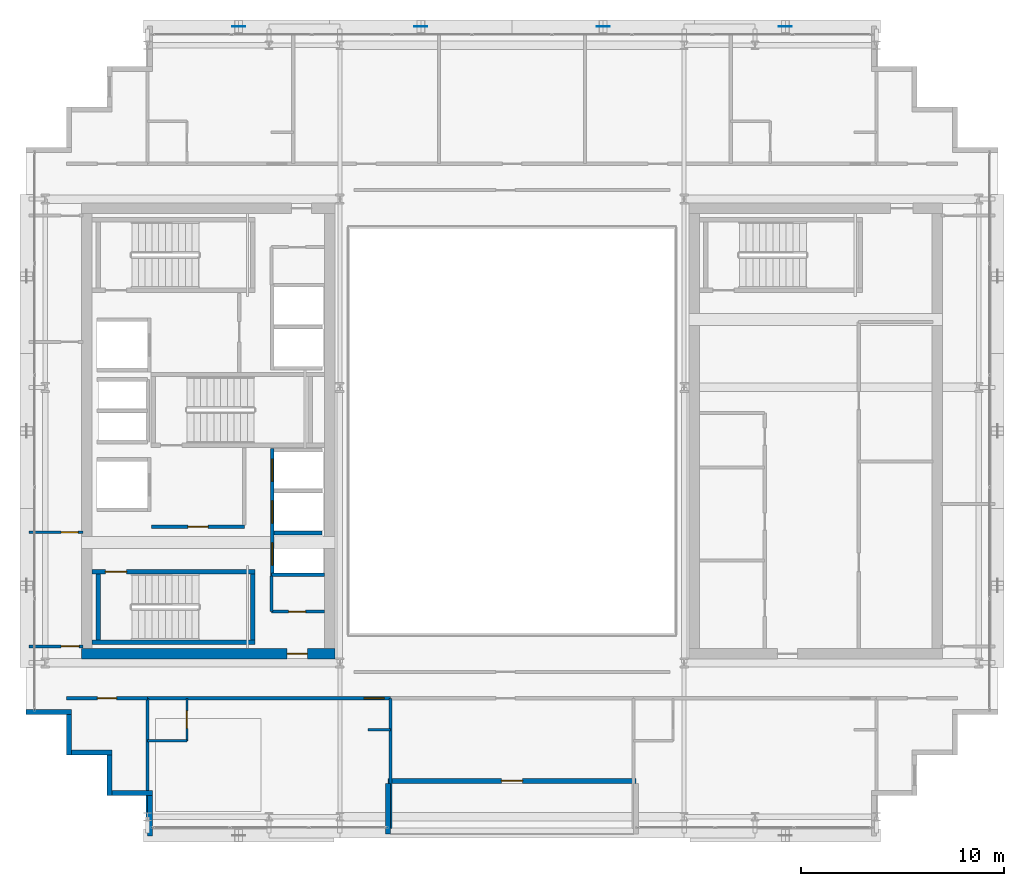
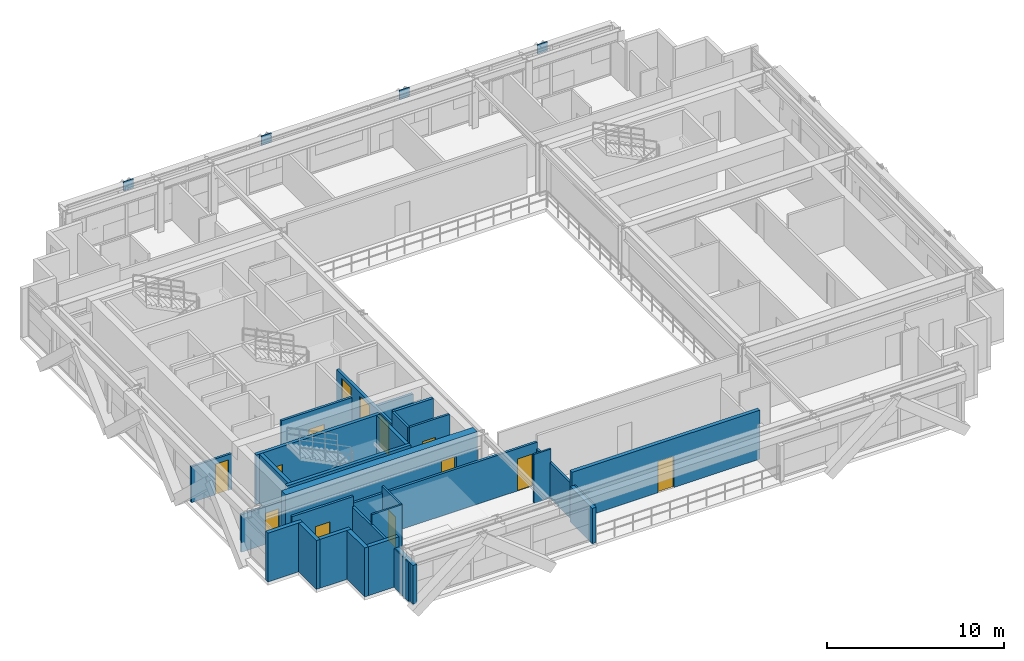
# One storey, part 23 of 30: 28 walls, 13 doors, 4 plates, 13 openings.
"""IFC4 building model written with IfcOpenShell, lengths in metres."""

from ifc_helpers import new_model, si_unit, direction, frame, frame_2d, origin, origin_2d, place, context, subcontext, project, spatial, rectangle, extrude, source, transform, mapped, material, layer, layer_set, type_object, element, fill, save


model = new_model("IFC4")

# Units and contexts
model_context = context("Model", 3, precision=1e-05, world=origin(), true_north=direction((0.0, 1.0)))
body_context = subcontext(model_context, "Body", "Model", "MODEL_VIEW")
ifc_project = project(units=[si_unit("LENGTHUNIT", "METRE"), si_unit("AREAUNIT", "SQUARE_METRE"), si_unit("VOLUMEUNIT", "CUBIC_METRE"), si_unit("PLANEANGLEUNIT", "RADIAN"), si_unit("MASSUNIT", "GRAM", prefix="KILO")], contexts=[model_context])

# Site, building, storey
site_placement = place(None, origin())
site = spatial("IfcSite", under=ifc_project, at=site_placement, CompositionType="ELEMENT")
building_placement = place(site_placement, origin())
building = spatial("IfcBuilding", under=site, at=building_placement, Name="Ocotamira Hotel", CompositionType="ELEMENT")
storey_placement = place(building_placement, frame((0.0, 0.0, 195.60009765625)))
storey = spatial("IfcBuildingStorey", under=building, at=storey_placement, Name="L49", CompositionType="ELEMENT", Elevation=195.60009765625)

# Plates
ifc_material_1 = material(Name="Pale-metal coated steel ASTM A572 Grade 50", Category="steel")
ifc_layer_1 = layer(ifc_material_1, 0.0400390625)
ifc_layer_set_1 = layer_set([ifc_layer_1], Name="Pale-metal coated steel ASTM A572 Grade 50")
plate_type = type_object("IfcPlateType", Name="PLT-GUSSET-40", PredefinedType="SHEET", material=ifc_layer_set_1)
shared_shape_1 = source(origin(), body_context, "Body", "SweptSolid", [
    extrude(rectangle(XDim=0.64990234375, YDim=0.0400390625, at=origin_2d()), origin(), (0.0, 0.0, 1.0), 0.64990234375),
])
for number, where, z_axis, x_axis, name in (
    (1, (18.5, 45.969970703125, 2.794921875), (0.0, 0.0, 1.0), (1.0, 0.0, 0.0), "L49 Exoskeleton Diagrid N0.1 End Gusset B"),
    (2, (27.5, 45.969970703125, 2.794921875), (0.0, 0.0, 1.0), (1.0, 0.0, 0.0), "L49 Exoskeleton Diagrid N1.1 End Gusset B"),
    (3, (36.5, 45.969970703125, 2.794921875), (0.0, 0.0, 1.0), (1.0, 0.0, 0.0), "L49 Exoskeleton Diagrid N2.1 End Gusset B"),
    (4, (45.5, 45.969970703125, 2.794921875), (0.0, 0.0, 1.0), (1.0, 0.0, 0.0), "L49 Exoskeleton Diagrid N3.1 End Gusset B"),
):
    element("IfcPlate", number, at=place(storey_placement, frame(where, z_axis=z_axis, x_axis=x_axis)), inside=storey, type_object=plate_type, Name=name, PredefinedType="SHEET", context=body_context, shape_type="MappedRepresentation", body=[
        mapped(shared_shape_1, transform((0.0, 0.0, 0.0), scale=1.0)),
    ])

# Wall, opening, door
ifc_material_2 = material(Name="Concrete C50/60", Category="concrete")
ifc_layer_2 = layer(ifc_material_2, 0.5)
ifc_layer_set_2 = layer_set([ifc_layer_2], Name="Concrete C50/60")
wall_type_1 = type_object("IfcWallType", Name="WL-CORE-500", PredefinedType="SHEAR", material=ifc_layer_set_2)
wall_1_placement = place(storey_placement, frame((10.75, 15.0, 0.0), z_axis=(0.0, 0.0, 1.0), x_axis=(1.0, 0.0, 0.0)))
wall_1 = element("IfcWall", 5, at=wall_1_placement, inside=storey, type_object=wall_type_1, Name="L49 Shear Core Wall WCORE-S", PredefinedType="SHEAR", context=body_context, shape_type="SweptSolid", body=[
    extrude(rectangle(XDim=12.5, YDim=0.5, at=frame_2d((6.25, 0.0))), origin(), (0.0, 0.0, 1.0), 3.369873046875),
])
opening_1_placement = place(wall_1_placement, frame((10.14990234375, 0.0, 0.0)))
opening_1 = element("IfcOpeningElement", 6, at=opening_1_placement, cuts=wall_1, Name="Opening D-FR2", PredefinedType="OPENING", context=body_context, shape_type="SweptSolid", body=[
    extrude(rectangle(XDim=1.0, YDim=2.14990234375, at=frame_2d((0.5, 1.074951171875))), frame((0.0, 0.260009765625, 0.0), z_axis=(0.0, -1.0, 0.0), x_axis=(1.0, 0.0, 0.0)), (0.0, 0.0, 1.0), 0.52001953125),
])
ifc_material_3 = material(Name="Fire-rated acoustic timber-veneer door", Category="wood")
door_type_1 = type_object("IfcDoorType", Name="DR-FIRE-1000", OperationType="NOTDEFINED", PredefinedType="DOOR", material=ifc_material_3)
shared_shape_2 = source(origin(), body_context, "Body", "SweptSolid", [
    extrude(rectangle(XDim=1.0, YDim=2.14990234375, at=frame_2d((0.5, 1.074951171875))), frame((0.0, 0.02490234375, 0.0), z_axis=(0.0, -1.0, 0.0), x_axis=(1.0, 0.0, 0.0)), (0.0, 0.0, 1.0), 0.050048828125),
])
door_1_placement = place(opening_1_placement, origin())
door_1 = element("IfcDoor", 7, at=door_1_placement, inside=storey, type_object=door_type_1, Name="L49 Door ID-L49-WLOB-S-D [ID-L49-WLOB-S-D]", OperationType="SINGLE_SWING_LEFT", OverallHeight=2.14990234375, OverallWidth=1.0, PredefinedType="DOOR", context=body_context, shape_type="MappedRepresentation", body=[
    mapped(shared_shape_2, transform((0.0, 0.0, 0.0), scale=1.0)),
])
fill(opening_1, door_1)

# Walls
ifc_material_4 = material(Name="Precast concrete C45/55", Category="concrete")
ifc_layer_3 = layer(ifc_material_4, 0.25)
ifc_layer_set_3 = layer_set([ifc_layer_3], Name="Precast concrete C45/55")
wall_type_2 = type_object("IfcWallType", Name="WL-EXT-SER-250", PredefinedType="SOLIDWALL", material=ifc_layer_set_3)
wall_2_placement = place(storey_placement, frame((8.0, 12.125, 0.0), z_axis=(0.0, 0.0, 1.0), x_axis=(1.0, 0.0, 0.0)))
element("IfcWall", 8, at=wall_2_placement, inside=storey, type_object=wall_type_2, Name="L49 Serrated Corner Wall 19", PredefinedType="SOLIDWALL", context=body_context, shape_type="SweptSolid", body=[
    extrude(rectangle(XDim=2.25, YDim=0.25, at=frame_2d((1.125, 0.0))), origin(), (0.0, 0.0, 1.0), 3.369873046875),
])
for number, where, z_axis, x_axis, name in (
    (9, (10.125, 12.0, 0.0), (0.0, 0.0, 1.0), (0.0, -1.0, 0.0), "L49 Serrated Corner Wall 20"),
    (10, (10.25, 10.125, 0.0), (0.0, 0.0, 1.0), (1.0, 0.0, 0.0), "L49 Serrated Corner Wall 21"),
    (11, (12.125, 10.0, 0.0), (0.0, 0.0, 1.0), (0.0, -1.0, 0.0), "L49 Serrated Corner Wall 22"),
    (12, (12.25, 8.125, 0.0), (0.0, 0.0, 1.0), (1.0, 0.0, 0.0), "L49 Serrated Corner Wall 23"),
):
    element("IfcWall", number, at=place(storey_placement, frame(where, z_axis=z_axis, x_axis=x_axis)), inside=storey, type_object=wall_type_2, Name=name, PredefinedType="SOLIDWALL", context=body_context, shape_type="SweptSolid", body=[
        extrude(rectangle(XDim=2.0, YDim=0.25, at=frame_2d((1.0, 0.0))), origin(), (0.0, 0.0, 1.0), 3.369873046875),
    ])
wall_3_placement = place(storey_placement, frame((14.125, 8.0, 0.0), z_axis=(0.0, 0.0, 1.0), x_axis=(0.0, -1.0, 0.0)))
element("IfcWall", 13, at=wall_3_placement, inside=storey, type_object=wall_type_2, Name="L49 Serrated Corner Wall 24", PredefinedType="SOLIDWALL", context=body_context, shape_type="SweptSolid", body=[
    extrude(rectangle(XDim=2.0, YDim=0.25, at=frame_2d((1.0, 0.0))), origin(), (0.0, 0.0, 1.0), 2.677001953125),
])

# Wall, opening, door
wall_4_placement = place(storey_placement, frame((25.875, 8.72509765625, 0.0), z_axis=(0.0, 0.0, 1.0), x_axis=(1.0, 0.0, 0.0)))
wall_4 = element("IfcWall", 14, at=wall_4_placement, inside=storey, type_object=wall_type_2, Name="L49 Sky Terrace Back Wall 1", PredefinedType="SOLIDWALL", context=body_context, shape_type="SweptSolid", body=[
    extrude(rectangle(XDim=12.25, YDim=0.25, at=frame_2d((6.125, 0.0))), origin(), (0.0, 0.0, 1.0), 3.369873046875),
])
opening_2_placement = place(wall_4_placement, frame((5.60009765625, 0.0, 0.0)))
opening_2 = element("IfcOpeningElement", 15, at=opening_2_placement, cuts=wall_4, Name="Opening ED-3", PredefinedType="OPENING", context=body_context, shape_type="SweptSolid", body=[
    extrude(rectangle(XDim=1.050048828125, YDim=2.14990234375, at=frame_2d((0.52490234375, 1.074951171875))), frame((0.0, 0.135009765625, 0.0), z_axis=(0.0, -1.0, 0.0), x_axis=(1.0, 0.0, 0.0)), (0.0, 0.0, 1.0), 0.27001953125),
])
ifc_material_5 = material(Name="Thermally broken aluminium glazed door", Category="aluminium")
door_type_2 = type_object("IfcDoorType", Name="DR-TERR-1050", OperationType="NOTDEFINED", PredefinedType="DOOR", material=ifc_material_5)
shared_shape_3 = source(origin(), body_context, "Body", "SweptSolid", [
    extrude(rectangle(XDim=1.050048828125, YDim=2.14990234375, at=frame_2d((0.52490234375, 1.074951171875))), frame((0.0, 0.02490234375, 0.0), z_axis=(0.0, -1.0, 0.0), x_axis=(1.0, 0.0, 0.0)), (0.0, 0.0, 1.0), 0.050048828125),
])
door_2_placement = place(opening_2_placement, origin())
door_2 = element("IfcDoor", 16, at=door_2_placement, inside=storey, type_object=door_type_2, Name="L49 Sky Terrace Access Door 1 [ED-BAL-L49-1]", OperationType="SINGLE_SWING_LEFT", OverallHeight=2.14990234375, OverallWidth=1.050048828125, PredefinedType="DOOR", context=body_context, shape_type="MappedRepresentation", body=[
    mapped(shared_shape_3, transform((0.0, 0.0, 0.0), scale=1.0)),
])
fill(opening_2, door_2)

# Wall
wall_5_placement = place(storey_placement, frame((25.875, 6.10009765625, 0.0), z_axis=(0.0, 0.0, 1.0), x_axis=(0.0, 1.0, 0.0)))
element("IfcWall", 17, at=wall_5_placement, inside=storey, type_object=wall_type_2, Name="L49 Sky Terrace Return Wall 1L", PredefinedType="SOLIDWALL", context=body_context, shape_type="SweptSolid", body=[
    extrude(rectangle(XDim=2.5, YDim=0.25, at=frame_2d((1.25, 0.0))), origin(), (0.0, 0.0, 1.0), 2.44287109375),
])

# Wall, opening, door
ifc_material_6 = material(Name="Acoustic double-layer fire gypsum board partition", Category="gypsum")
ifc_layer_4 = layer(ifc_material_6, 0.159912109375)
ifc_layer_set_4 = layer_set([ifc_layer_4], Name="Acoustic double-layer fire gypsum board partition")
wall_type_3 = type_object("IfcWallType", Name="WL-FIRE-160", PredefinedType="PARTITIONING", material=ifc_layer_set_4)
wall_6_placement = place(storey_placement, frame((14.199951171875, 21.27001953125, 0.0), z_axis=(0.0, 0.0, 1.0), x_axis=(1.0, 0.0, 0.0)))
wall_6 = element("IfcWall", 18, at=wall_6_placement, inside=storey, type_object=wall_type_3, Name="L49 Interior Wall PW-L49-FSAE1-S", PredefinedType="PARTITIONING", context=body_context, shape_type="SweptSolid", body=[
    extrude(rectangle(XDim=4.580078125, YDim=0.159912109375, at=frame_2d((2.2900390625, 0.0))), origin(), (0.0, 0.0, 1.0), 3.369873046875),
])
opening_3_placement = place(wall_6_placement, frame((1.800048828125, 0.0, 0.0)))
opening_3 = element("IfcOpeningElement", 19, at=opening_3_placement, cuts=wall_6, Name="Opening D-FR2", PredefinedType="OPENING", context=body_context, shape_type="SweptSolid", body=[
    extrude(rectangle(XDim=1.0, YDim=2.14990234375, at=frame_2d((0.5, 1.074951171875))), frame((0.0, 0.08984375, 0.0), z_axis=(0.0, -1.0, 0.0), x_axis=(1.0, 0.0, 0.0)), (0.0, 0.0, 1.0), 0.179931640625),
])
door_3_placement = place(opening_3_placement, origin())
door_3 = element("IfcDoor", 20, at=door_3_placement, inside=storey, type_object=door_type_1, Name="L49 Door ID-L49-FSAE1-D [ID-L49-FSAE1-D]", OperationType="SINGLE_SWING_LEFT", OverallHeight=2.14990234375, OverallWidth=1.0, PredefinedType="DOOR", context=body_context, shape_type="MappedRepresentation", body=[
    mapped(shared_shape_2, transform((0.0, 0.0, 0.0), scale=1.0)),
])
fill(opening_3, door_3)

wall_7_placement = place(storey_placement, frame((10.0, 12.800048828125, 0.0), z_axis=(0.0, 0.0, 1.0), x_axis=(1.0, 0.0, 0.0)))
wall_7 = element("IfcWall", 21, at=wall_7_placement, inside=storey, type_object=wall_type_3, Name="L49 Interior Wall PW-L49-Z3D-CSW-CW", PredefinedType="PARTITIONING", context=body_context, shape_type="SweptSolid", body=[
    extrude(rectangle(XDim=4.0, YDim=0.159912109375, at=frame_2d((2.0, 0.0))), origin(), (0.0, 0.0, 1.0), 3.369873046875),
])
opening_4_placement = place(wall_7_placement, frame((1.52001953125, 0.0, 0.0)))
opening_4 = element("IfcOpeningElement", 22, at=opening_4_placement, cuts=wall_7, Name="Opening D-SV4", PredefinedType="OPENING", context=body_context, shape_type="SweptSolid", body=[
    extrude(rectangle(XDim=0.9599609375, YDim=2.14990234375, at=frame_2d((0.47998046875, 1.074951171875))), frame((0.0, 0.08984375, 0.0), z_axis=(0.0, -1.0, 0.0), x_axis=(1.0, 0.0, 0.0)), (0.0, 0.0, 1.0), 0.179931640625),
])
ifc_material_7 = material(Name="Fire-rated accessible walnut salon door", Category="wood")
door_type_3 = type_object("IfcDoorType", Name="DR-SERV-960", OperationType="NOTDEFINED", PredefinedType="DOOR", material=ifc_material_7)
shared_shape_4 = source(origin(), body_context, "Body", "SweptSolid", [
    extrude(rectangle(XDim=0.9599609375, YDim=2.14990234375, at=frame_2d((0.47998046875, 1.074951171875))), frame((0.0, 0.02490234375, 0.0), z_axis=(0.0, -1.0, 0.0), x_axis=(1.0, 0.0, 0.0)), (0.0, 0.0, 1.0), 0.050048828125),
])
door_4_placement = place(opening_4_placement, origin())
door_4 = element("IfcDoor", 23, at=door_4_placement, inside=storey, type_object=door_type_3, Name="L49 Door ID-L49-Z3D-CSW-CD [ID-L49-Z3D-CSW-CD]", OperationType="SINGLE_SWING_LEFT", OverallHeight=2.14990234375, OverallWidth=0.9599609375, PredefinedType="DOOR", context=body_context, shape_type="MappedRepresentation", body=[
    mapped(shared_shape_4, transform((0.0, 0.0, 0.0), scale=1.0)),
])
fill(opening_4, door_4)

wall_8_placement = place(storey_placement, frame((14.0, 12.800048828125, 0.0), z_axis=(0.0, 0.0, 1.0), x_axis=(1.0, 0.0, 0.0)))
wall_8 = element("IfcWall", 24, at=wall_8_placement, inside=storey, type_object=wall_type_3, Name="L49 Interior Wall PW-L49-Z3DSW-CORRW", PredefinedType="PARTITIONING", context=body_context, shape_type="SweptSolid", body=[
    extrude(rectangle(XDim=12.0, YDim=0.159912109375, at=frame_2d((6.0, 0.0))), origin(), (0.0, 0.0, 1.0), 2.912841796875),
])
opening_5_placement = place(wall_8_placement, frame((10.699951171875, 0.0, 0.0)))
opening_5 = element("IfcOpeningElement", 25, at=opening_5_placement, cuts=wall_8, Name="Opening D-GR2", PredefinedType="OPENING", context=body_context, shape_type="SweptSolid", body=[
    extrude(rectangle(XDim=0.97998046875, YDim=2.199951171875, at=frame_2d((0.489990234375, 1.10009765625))), frame((0.0, 0.08984375, 0.0), z_axis=(0.0, -1.0, 0.0), x_axis=(1.0, 0.0, 0.0)), (0.0, 0.0, 1.0), 0.179931640625),
])
ifc_material_8 = material(Name="Solid-core walnut grand-suite entrance fire door", Category="wood")
door_type_4 = type_object("IfcDoorType", Name="DR-GUEST-980", OperationType="NOTDEFINED", PredefinedType="DOOR", material=ifc_material_8)
shared_shape_5 = source(origin(), body_context, "Body", "SweptSolid", [
    extrude(rectangle(XDim=0.97998046875, YDim=2.199951171875, at=frame_2d((0.489990234375, 1.10009765625))), frame((0.0, 0.02490234375, 0.0), z_axis=(0.0, -1.0, 0.0), x_axis=(1.0, 0.0, 0.0)), (0.0, 0.0, 1.0), 0.050048828125),
])
door_5_placement = place(opening_5_placement, origin())
door_5 = element("IfcDoor", 26, at=door_5_placement, inside=storey, type_object=door_type_4, Name="L49 Door ID-L49-Z3DSW-RMD1 [ID-L49-Z3DSW-RMD1]", OperationType="SINGLE_SWING_LEFT", OverallHeight=2.199951171875, OverallWidth=0.97998046875, PredefinedType="DOOR", context=body_context, shape_type="MappedRepresentation", body=[
    mapped(shared_shape_5, transform((0.0, 0.0, 0.0), scale=1.0)),
])
fill(opening_5, door_5)

ifc_material_9 = material(Name="Moisture-resistant en-suite tile and gypsum partition", Category="gypsum")
ifc_layer_5 = layer(ifc_material_9, 0.1201171875)
ifc_layer_set_5 = layer_set([ifc_layer_5], Name="Moisture-resistant en-suite tile and gypsum partition")
wall_type_4 = type_object("IfcWallType", Name="WL-PART-120", PredefinedType="PARTITIONING", material=ifc_layer_set_5)
wall_9_placement = place(storey_placement, frame((15.949951171875, 10.699951171875, 0.0), z_axis=(0.0, 0.0, 1.0), x_axis=(0.0, 1.0, 0.0)))
wall_9 = element("IfcWall", 27, at=wall_9_placement, inside=storey, type_object=wall_type_4, Name="L49 Interior Wall PW-L49-Z3DSW-BAE1", PredefinedType="PARTITIONING", context=body_context, shape_type="SweptSolid", body=[
    extrude(rectangle(XDim=2.10009765625, YDim=0.1201171875, at=frame_2d((1.050048828125, 0.0))), origin(), (0.0, 0.0, 1.0), 3.369873046875),
])
opening_6_placement = place(wall_9_placement, frame((0.6201171875, 0.0, 0.0)))
opening_6 = element("IfcOpeningElement", 28, at=opening_6_placement, cuts=wall_9, Name="Opening D-BA1", PredefinedType="OPENING", context=body_context, shape_type="SweptSolid", body=[
    extrude(rectangle(XDim=0.860107421875, YDim=2.10009765625, at=frame_2d((0.43017578125, 1.050048828125))), frame((0.0, 0.070068359375, 0.0), z_axis=(0.0, -1.0, 0.0), x_axis=(1.0, 0.0, 0.0)), (0.0, 0.0, 1.0), 0.14013671875),
])
ifc_material_10 = material(Name="Moisture-sealed en-suite timber door", Category="wood")
door_type_5 = type_object("IfcDoorType", Name="DR-BATH-860", OperationType="NOTDEFINED", PredefinedType="DOOR", material=ifc_material_10)
shared_shape_6 = source(origin(), body_context, "Body", "SweptSolid", [
    extrude(rectangle(XDim=0.860107421875, YDim=2.10009765625, at=frame_2d((0.43017578125, 1.050048828125))), frame((0.0, 0.02490234375, 0.0), z_axis=(0.0, -1.0, 0.0), x_axis=(1.0, 0.0, 0.0)), (0.0, 0.0, 1.0), 0.050048828125),
])
door_6_placement = place(opening_6_placement, origin())
door_6 = element("IfcDoor", 29, at=door_6_placement, inside=storey, type_object=door_type_5, Name="L49 Door ID-L49-Z3DSW-BAD1 [ID-L49-Z3DSW-BAD1]", OperationType="SINGLE_SWING_RIGHT", OverallHeight=2.10009765625, OverallWidth=0.860107421875, PredefinedType="DOOR", context=body_context, shape_type="MappedRepresentation", body=[
    mapped(shared_shape_6, transform((0.0, 0.0, 0.0), scale=1.0)),
])
fill(opening_6, door_6)

# Walls
wall_10_placement = place(storey_placement, frame((14.0, 10.699951171875, 0.0), z_axis=(0.0, 0.0, 1.0), x_axis=(1.0, 0.0, 0.0)))
element("IfcWall", 30, at=wall_10_placement, inside=storey, type_object=wall_type_4, Name="L49 Interior Wall PW-L49-Z3DSW-BAS1", PredefinedType="PARTITIONING", context=body_context, shape_type="SweptSolid", body=[
    extrude(rectangle(XDim=1.949951171875, YDim=0.1201171875, at=frame_2d((0.97509765625, 0.0))), origin(), (0.0, 0.0, 1.0), 3.369873046875),
])
wall_11_placement = place(storey_placement, frame((24.89990234375, 11.25, 0.0), z_axis=(0.0, 0.0, 1.0), x_axis=(1.0, 0.0, 0.0)))
element("IfcWall", 31, at=wall_11_placement, inside=storey, type_object=wall_type_4, Name="L49 Interior Wall PW-L49-Z3DSW-DRN1", PredefinedType="PARTITIONING", context=body_context, shape_type="SweptSolid", body=[
    extrude(rectangle(XDim=1.10009765625, YDim=0.1201171875, at=frame_2d((0.550048828125, 0.0))), origin(), (0.0, 0.0, 1.0), 3.369873046875),
])
ifc_material_11 = material(Name="Acoustic hospitality gypsum board partition", Category="gypsum")
ifc_layer_6 = layer(ifc_material_11, 0.14208984375)
ifc_layer_set_6 = layer_set([ifc_layer_6], Name="Acoustic hospitality gypsum board partition")
wall_type_5 = type_object("IfcWallType", Name="WL-PART-142", PredefinedType="PARTITIONING", material=ifc_layer_set_6)
wall_12_placement = place(storey_placement, frame((20.1201171875, 17.080078125, 0.0), z_axis=(0.0, 0.0, 1.0), x_axis=(0.0, 1.0, 0.0)))
element("IfcWall", 32, at=wall_12_placement, inside=storey, type_object=wall_type_5, Name="L49 Interior Wall PW-L49-WC-SE-W2", PredefinedType="PARTITIONING", context=body_context, shape_type="SweptSolid", body=[
    extrude(rectangle(XDim=1.760009765625, YDim=0.14208984375, at=frame_2d((0.8798828125, 0.0))), origin(), (0.0, 0.0, 1.0), 3.369873046875),
])

# Wall, opening, door
wall_13_placement = place(storey_placement, frame((20.1201171875, 17.080078125, 0.0), z_axis=(0.0, 0.0, 1.0), x_axis=(1.0, 0.0, 0.0)))
wall_13 = element("IfcWall", 33, at=wall_13_placement, inside=storey, type_object=wall_type_5, Name="L49 Interior Wall PW-L49-WC-SE-S2", PredefinedType="PARTITIONING", context=body_context, shape_type="SweptSolid", body=[
    extrude(rectangle(XDim=2.6298828125, YDim=0.14208984375, at=frame_2d((1.31494140625, 0.0))), origin(), (0.0, 0.0, 1.0), 3.369873046875),
])
opening_7_placement = place(wall_13_placement, frame((0.85009765625, 0.0, 0.0)))
opening_7 = element("IfcOpeningElement", 34, at=opening_7_placement, cuts=wall_13, Name="Opening D-SV1", PredefinedType="OPENING", context=body_context, shape_type="SweptSolid", body=[
    extrude(rectangle(XDim=0.840087890625, YDim=2.10009765625, at=frame_2d((0.419921875, 1.050048828125))), frame((0.0, 0.0810546875, 0.0), z_axis=(0.0, -1.0, 0.0), x_axis=(1.0, 0.0, 0.0)), (0.0, 0.0, 1.0), 0.162109375),
])
ifc_material_12 = material(Name="Fire-rated painted steel service door", Category="steel")
door_type_6 = type_object("IfcDoorType", Name="DR-SERV-840", OperationType="NOTDEFINED", PredefinedType="DOOR", material=ifc_material_12)
shared_shape_7 = source(origin(), body_context, "Body", "SweptSolid", [
    extrude(rectangle(XDim=0.840087890625, YDim=2.10009765625, at=frame_2d((0.419921875, 1.050048828125))), frame((0.0, 0.02490234375, 0.0), z_axis=(0.0, -1.0, 0.0), x_axis=(1.0, 0.0, 0.0)), (0.0, 0.0, 1.0), 0.050048828125),
])
door_7_placement = place(opening_7_placement, origin())
door_7 = element("IfcDoor", 35, at=door_7_placement, inside=storey, type_object=door_type_6, Name="L49 Door ID-L49-WC-SE-D2 [ID-L49-WC-SE-D2]", OperationType="SINGLE_SWING_LEFT", OverallHeight=2.10009765625, OverallWidth=0.840087890625, PredefinedType="DOOR", context=body_context, shape_type="MappedRepresentation", body=[
    mapped(shared_shape_7, transform((0.0, 0.0, 0.0), scale=1.0)),
])
fill(opening_7, door_7)

wall_14_placement = place(storey_placement, frame((8.159912109375, 21.0, 0.0), z_axis=(0.0, 0.0, 1.0), x_axis=(1.0, 0.0, 0.0)))
wall_14 = element("IfcWall", 36, at=wall_14_placement, inside=storey, type_object=wall_type_5, Name="L49 Interior Wall PW-L49-Z3D-WF-DV1", PredefinedType="PARTITIONING", context=body_context, shape_type="SweptSolid", body=[
    extrude(rectangle(XDim=2.66015625, YDim=0.14208984375, at=frame_2d((1.330078125, 0.0))), origin(), (0.0, 0.0, 1.0), 2.469970703125),
])
opening_8_placement = place(wall_14_placement, frame((1.580078125, 0.0, 0.0)))
opening_8 = element("IfcOpeningElement", 37, at=opening_8_placement, cuts=wall_14, Name="Opening D-SV1", PredefinedType="OPENING", context=body_context, shape_type="SweptSolid", body=[
    extrude(rectangle(XDim=0.840087890625, YDim=2.10009765625, at=frame_2d((0.419921875, 1.050048828125))), frame((0.0, 0.0810546875, 0.0), z_axis=(0.0, -1.0, 0.0), x_axis=(1.0, 0.0, 0.0)), (0.0, 0.0, 1.0), 0.162109375),
])
door_8_placement = place(opening_8_placement, origin())
door_8 = element("IfcDoor", 38, at=door_8_placement, inside=storey, type_object=door_type_6, Name="L49 Door ID-L49-Z3D-WF-DV1D [ID-L49-Z3D-WF-DV1D]", OperationType="SINGLE_SWING_LEFT", OverallHeight=2.10009765625, OverallWidth=0.840087890625, PredefinedType="DOOR", context=body_context, shape_type="MappedRepresentation", body=[
    mapped(shared_shape_7, transform((0.0, 0.0, 0.0), scale=1.0)),
])
fill(opening_8, door_8)

ifc_layer_7 = layer(ifc_material_11, 0.14990234375)
ifc_layer_set_7 = layer_set([ifc_layer_7], Name="Acoustic hospitality gypsum board partition")
wall_type_6 = type_object("IfcWallType", Name="WL-PART-150", PredefinedType="PARTITIONING", material=ifc_layer_set_7)
wall_15_placement = place(storey_placement, frame((8.159912109375, 15.360107421875, 0.0), z_axis=(0.0, 0.0, 1.0), x_axis=(1.0, 0.0, 0.0)))
wall_15 = element("IfcWall", 39, at=wall_15_placement, inside=storey, type_object=wall_type_6, Name="L49 Interior Wall PW-L49-Z3D-WF-WS", PredefinedType="PARTITIONING", context=body_context, shape_type="SweptSolid", body=[
    extrude(rectangle(XDim=2.66015625, YDim=0.14990234375, at=frame_2d((1.330078125, 0.0))), origin(), (0.0, 0.0, 1.0), 2.5908203125),
])
opening_9_placement = place(wall_15_placement, frame((1.580078125, 0.0, 0.0)))
opening_9 = element("IfcOpeningElement", 40, at=opening_9_placement, cuts=wall_15, Name="Opening D-SV2", PredefinedType="OPENING", context=body_context, shape_type="SweptSolid", body=[
    extrude(rectangle(XDim=0.8798828125, YDim=2.14990234375, at=frame_2d((0.43994140625, 1.074951171875))), frame((0.0, 0.0849609375, 0.0), z_axis=(0.0, -1.0, 0.0), x_axis=(1.0, 0.0, 0.0)), (0.0, 0.0, 1.0), 0.169921875),
])
door_type_7 = type_object("IfcDoorType", Name="DR-SERV-880", OperationType="NOTDEFINED", PredefinedType="DOOR", material=ifc_material_12)
shared_shape_8 = source(origin(), body_context, "Body", "SweptSolid", [
    extrude(rectangle(XDim=0.8798828125, YDim=2.14990234375, at=frame_2d((0.43994140625, 1.074951171875))), frame((0.0, 0.02490234375, 0.0), z_axis=(0.0, -1.0, 0.0), x_axis=(1.0, 0.0, 0.0)), (0.0, 0.0, 1.0), 0.050048828125),
])
door_9_placement = place(opening_9_placement, origin())
door_9 = element("IfcDoor", 41, at=door_9_placement, inside=storey, type_object=door_type_7, Name="L49 Door ID-L49-Z3D-WF-DS [ID-L49-Z3D-WF-DS]", OperationType="SINGLE_SWING_LEFT", OverallHeight=2.14990234375, OverallWidth=0.8798828125, PredefinedType="DOOR", context=body_context, shape_type="MappedRepresentation", body=[
    mapped(shared_shape_8, transform((0.0, 0.0, 0.0), scale=1.0)),
])
fill(opening_9, door_9)

# Walls
ifc_material_13 = material(Name="Acoustic double-stud hospitality gypsum partition", Category="gypsum")
ifc_layer_8 = layer(ifc_material_13, 0.159912109375)
ifc_layer_set_8 = layer_set([ifc_layer_8], Name="Acoustic double-stud hospitality gypsum partition")
wall_type_7 = type_object("IfcWallType", Name="WL-PART-160", PredefinedType="PARTITIONING", material=ifc_layer_set_8)
wall_16_placement = place(storey_placement, frame((14.0, 6.360107421875, 0.0), z_axis=(0.0, 0.0, 1.0), x_axis=(0.0, 1.0, 0.0)))
element("IfcWall", 42, at=wall_16_placement, inside=storey, type_object=wall_type_7, Name="L49 Interior Wall PW-L49-Z3DSW-PW0", PredefinedType="PARTITIONING", context=body_context, shape_type="SweptSolid", body=[
    extrude(rectangle(XDim=6.43994140625, YDim=0.159912109375, at=frame_2d((3.219970703125, 0.0))), origin(), (0.0, 0.0, 1.0), 2.677001953125),
])
wall_17_placement = place(storey_placement, frame((26.0, 6.360107421875, 0.0), z_axis=(0.0, 0.0, 1.0), x_axis=(0.0, 1.0, 0.0)))
element("IfcWall", 43, at=wall_17_placement, inside=storey, type_object=wall_type_7, Name="L49 Interior Wall PW-L49-Z3DSW-PWEND", PredefinedType="PARTITIONING", context=body_context, shape_type="SweptSolid", body=[
    extrude(rectangle(XDim=6.43994140625, YDim=0.159912109375, at=frame_2d((3.219970703125, 0.0))), origin(), (0.0, 0.0, 1.0), 2.44287109375),
])

# Wall, openings, doors
ifc_material_14 = material(Name="Fire-rated gypsum shaftliner board assembly", Category="gypsum")
ifc_layer_9 = layer(ifc_material_14, 0.179931640625)
ifc_layer_set_9 = layer_set([ifc_layer_9], Name="Fire-rated gypsum shaftliner board assembly")
wall_type_8 = type_object("IfcWallType", Name="WL-SHAFT-180", PredefinedType="SOLIDWALL", material=ifc_layer_set_9)
wall_18_placement = place(storey_placement, frame((20.159912109375, 18.820068359375, 0.0), z_axis=(0.0, 0.0, 1.0), x_axis=(0.0, 1.0, 0.0)))
wall_18 = element("IfcWall", 44, at=wall_18_placement, inside=storey, type_object=wall_type_8, Name="L49 Interior Wall PW-L49-LFW-BANK-high-F", PredefinedType="SOLIDWALL", context=body_context, shape_type="SweptSolid", body=[
    extrude(rectangle(XDim=6.31982421875, YDim=0.179931640625, at=frame_2d((3.159912109375, 0.0))), origin(), (0.0, 0.0, 1.0), 2.469970703125),
])
opening_10_placement = place(wall_18_placement, frame((0.554931640625, 0.0, 0.0)))
opening_10 = element("IfcOpeningElement", 45, at=opening_10_placement, cuts=wall_18, Name="Opening LD-LF-P7", PredefinedType="OPENING", context=body_context, shape_type="SweptSolid", body=[
    extrude(rectangle(XDim=1.10009765625, YDim=2.199951171875, at=frame_2d((0.550048828125, 1.10009765625))), frame((0.0, 0.10009765625, 0.0), z_axis=(0.0, -1.0, 0.0), x_axis=(1.0, 0.0, 0.0)), (0.0, 0.0, 1.0), 0.199951171875),
])
opening_11_placement = place(wall_18_placement, frame((2.635009765625, 0.0, 0.0)))
opening_11 = element("IfcOpeningElement", 46, at=opening_11_placement, cuts=wall_18, Name="Opening LD-LF-P8", PredefinedType="OPENING", context=body_context, shape_type="SweptSolid", body=[
    extrude(rectangle(XDim=1.10009765625, YDim=2.199951171875, at=frame_2d((0.550048828125, 1.10009765625))), frame((0.0, 0.10009765625, 0.0), z_axis=(0.0, -1.0, 0.0), x_axis=(1.0, 0.0, 0.0)), (0.0, 0.0, 1.0), 0.199951171875),
])
opening_12_placement = place(wall_18_placement, frame((4.68994140625, 0.0, 0.0)))
opening_12 = element("IfcOpeningElement", 47, at=opening_12_placement, cuts=wall_18, Name="Opening LD-LF-P9", PredefinedType="OPENING", context=body_context, shape_type="SweptSolid", body=[
    extrude(rectangle(XDim=1.10009765625, YDim=2.199951171875, at=frame_2d((0.550048828125, 1.10009765625))), frame((0.0, 0.10009765625, 0.0), z_axis=(0.0, -1.0, 0.0), x_axis=(1.0, 0.0, 0.0)), (0.0, 0.0, 1.0), 0.199951171875),
])
ifc_material_15 = material(Name="Brushed pale-metal stainless elevator landing door", Category="steel")
door_type_8 = type_object("IfcDoorType", Name="DR-LIFT-1100", OperationType="NOTDEFINED", PredefinedType="DOOR", material=ifc_material_15)
shared_shape_9 = source(origin(), body_context, "Body", "SweptSolid", [
    extrude(rectangle(XDim=1.10009765625, YDim=2.199951171875, at=frame_2d((0.550048828125, 1.10009765625))), frame((0.0, 0.02490234375, 0.0), z_axis=(0.0, -1.0, 0.0), x_axis=(1.0, 0.0, 0.0)), (0.0, 0.0, 1.0), 0.050048828125),
])
door_10_placement = place(opening_10_placement, origin())
door_10 = element("IfcDoor", 48, at=door_10_placement, inside=storey, type_object=door_type_8, Name="L49 Landing Door LD-LF-P7 [ID-L49-LD-LF-P7]", OperationType="DOUBLE_DOOR_SLIDING", OverallHeight=2.199951171875, OverallWidth=1.10009765625, PredefinedType="DOOR", context=body_context, shape_type="MappedRepresentation", body=[
    mapped(shared_shape_9, transform((0.0, 0.0, 0.0), scale=1.0)),
])
fill(opening_10, door_10)
door_11_placement = place(opening_11_placement, origin())
door_11 = element("IfcDoor", 49, at=door_11_placement, inside=storey, type_object=door_type_8, Name="L49 Landing Door LD-LF-P8 [ID-L49-LD-LF-P8]", OperationType="DOUBLE_DOOR_SLIDING", OverallHeight=2.199951171875, OverallWidth=1.10009765625, PredefinedType="DOOR", context=body_context, shape_type="MappedRepresentation", body=[
    mapped(shared_shape_9, transform((0.0, 0.0, 0.0), scale=1.0)),
])
fill(opening_11, door_11)
door_12_placement = place(opening_12_placement, origin())
door_12 = element("IfcDoor", 50, at=door_12_placement, inside=storey, type_object=door_type_8, Name="L49 Landing Door LD-LF-P9 [ID-L49-LD-LF-P9]", OperationType="DOUBLE_DOOR_SLIDING", OverallHeight=2.199951171875, OverallWidth=1.10009765625, PredefinedType="DOOR", context=body_context, shape_type="MappedRepresentation", body=[
    mapped(shared_shape_9, transform((0.0, 0.0, 0.0), scale=1.0)),
])
fill(opening_12, door_12)

# Walls
wall_19_placement = place(storey_placement, frame((20.1201171875, 18.909912109375, 0.0), z_axis=(0.0, 0.0, 1.0), x_axis=(1.0, 0.0, 0.0)))
element("IfcWall", 51, at=wall_19_placement, inside=storey, type_object=wall_type_8, Name="L49 Interior Wall PW-L49-LFW-BANK-high-S", PredefinedType="SOLIDWALL", context=body_context, shape_type="SweptSolid", body=[
    extrude(rectangle(XDim=2.6298828125, YDim=0.179931640625, at=frame_2d((1.31494140625, 0.0))), origin(), (0.0, 0.0, 1.0), 3.369873046875),
])
wall_20_placement = place(storey_placement, frame((20.25, 20.965087890625, 0.0), z_axis=(0.0, 0.0, 1.0), x_axis=(1.0, 0.0, 0.0)))
element("IfcWall", 52, at=wall_20_placement, inside=storey, type_object=wall_type_8, Name="L49 Interior Wall PW-L49-LFW-DIV-LF-P7", PredefinedType="SOLIDWALL", context=body_context, shape_type="SweptSolid", body=[
    extrude(rectangle(XDim=2.360107421875, YDim=0.179931640625, at=frame_2d((1.18017578125, 0.0))), origin(), (0.0, 0.0, 1.0), 2.469970703125),
])
ifc_layer_10 = layer(ifc_material_2, 0.219970703125)
ifc_layer_set_10 = layer_set([ifc_layer_10], Name="Concrete C50/60")
wall_type_9 = type_object("IfcWallType", Name="WL-STAIR-220", PredefinedType="SHEAR", material=ifc_layer_set_10)
wall_21_placement = place(storey_placement, frame((11.25, 15.56005859375, 0.0), z_axis=(0.0, 0.0, 1.0), x_axis=(1.0, 0.0, 0.0)))
element("IfcWall", 53, at=wall_21_placement, inside=storey, type_object=wall_type_9, Name="L49 Stair Shaft Structural Wall ST-1-S", PredefinedType="SHEAR", context=body_context, shape_type="SweptSolid", body=[
    extrude(rectangle(XDim=8.06005859375, YDim=0.219970703125, at=frame_2d((4.030029296875, 0.0))), origin(), (0.0, 0.0, 1.0), 3.39990234375),
])

# Wall, opening, door
wall_22_placement = place(storey_placement, frame((11.25, 19.06005859375, 0.0), z_axis=(0.0, 0.0, 1.0), x_axis=(1.0, 0.0, 0.0)))
wall_22 = element("IfcWall", 54, at=wall_22_placement, inside=storey, type_object=wall_type_9, Name="L49 Stair Shaft Structural Wall ST-1-N", PredefinedType="SHEAR", context=body_context, shape_type="SweptSolid", body=[
    extrude(rectangle(XDim=8.06005859375, YDim=0.219970703125, at=frame_2d((4.030029296875, 0.0))), origin(), (0.0, 0.0, 1.0), 3.39990234375),
])
opening_13_placement = place(wall_22_placement, frame((0.669921875, 0.0, 0.0)))
opening_13 = element("IfcOpeningElement", 55, at=opening_13_placement, cuts=wall_22, Name="Opening D-ST2", PredefinedType="OPENING", context=body_context, shape_type="SweptSolid", body=[
    extrude(rectangle(XDim=1.050048828125, YDim=2.14990234375, at=frame_2d((0.52490234375, 1.074951171875))), frame((0.0, 0.1201171875, 0.0), z_axis=(0.0, -1.0, 0.0), x_axis=(1.0, 0.0, 0.0)), (0.0, 0.0, 1.0), 0.239990234375),
])
ifc_material_16 = material(Name="Insulated painted hollow-metal fire exit door", Category="steel")
door_type_9 = type_object("IfcDoorType", Name="DR-STAIR-1050", OperationType="NOTDEFINED", PredefinedType="DOOR", material=ifc_material_16)
door_13_placement = place(opening_13_placement, origin())
door_13 = element("IfcDoor", 56, at=door_13_placement, inside=storey, type_object=door_type_9, Name="L49 Door ID-L49-STD-ST-1 [ID-L49-STD-ST-1]", OperationType="SINGLE_SWING_RIGHT", OverallHeight=2.14990234375, OverallWidth=1.050048828125, PredefinedType="DOOR", context=body_context, shape_type="MappedRepresentation", body=[
    mapped(shared_shape_3, transform((0.0, 0.0, 0.0), scale=1.0)),
])
fill(opening_13, door_13)

# Walls
for number, where, z_axis, x_axis, name in (
    (57, (11.56005859375, 15.669921875, 0.0), (0.0, 0.0, 1.0), (0.0, 1.0, 0.0), "L49 Stair Shaft Structural Wall ST-1-W"),
    (58, (19.199951171875, 15.669921875, 0.0), (0.0, 0.0, 1.0), (0.0, 1.0, 0.0), "L49 Stair Shaft Structural Wall ST-1-E"),
):
    element("IfcWall", number, at=place(storey_placement, frame(where, z_axis=z_axis, x_axis=x_axis)), inside=storey, type_object=wall_type_9, Name=name, PredefinedType="SHEAR", context=body_context, shape_type="SweptSolid", body=[
        extrude(rectangle(XDim=3.280029296875, YDim=0.219970703125, at=frame_2d((1.64013671875, 0.0))), origin(), (0.0, 0.0, 1.0), 3.39990234375),
    ])

save(model, "model.ifc")
